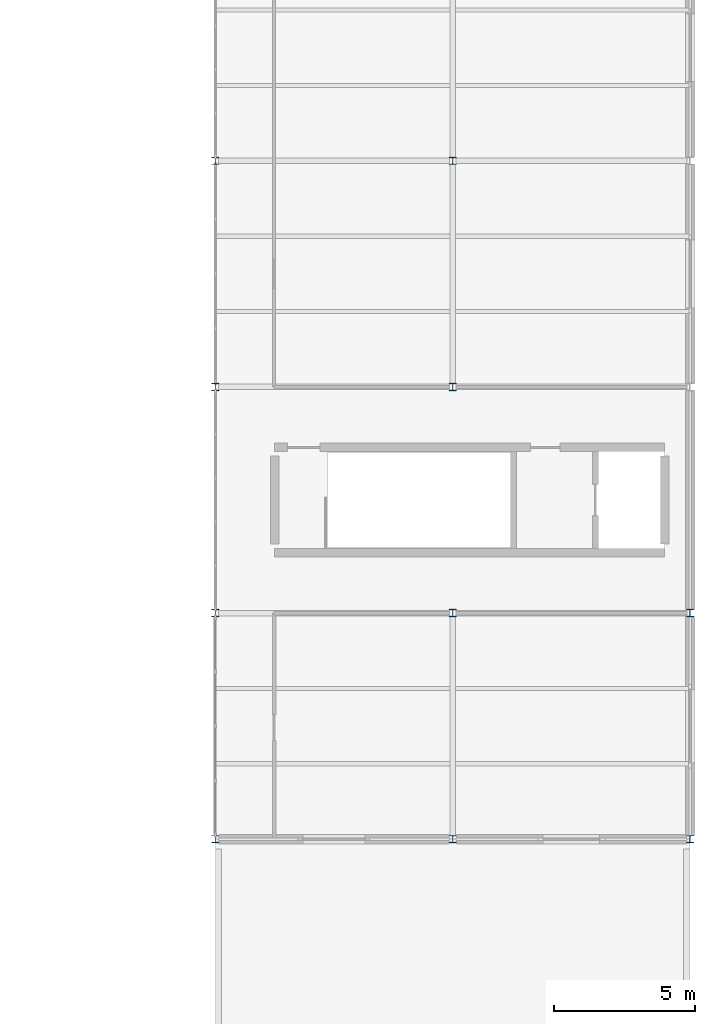
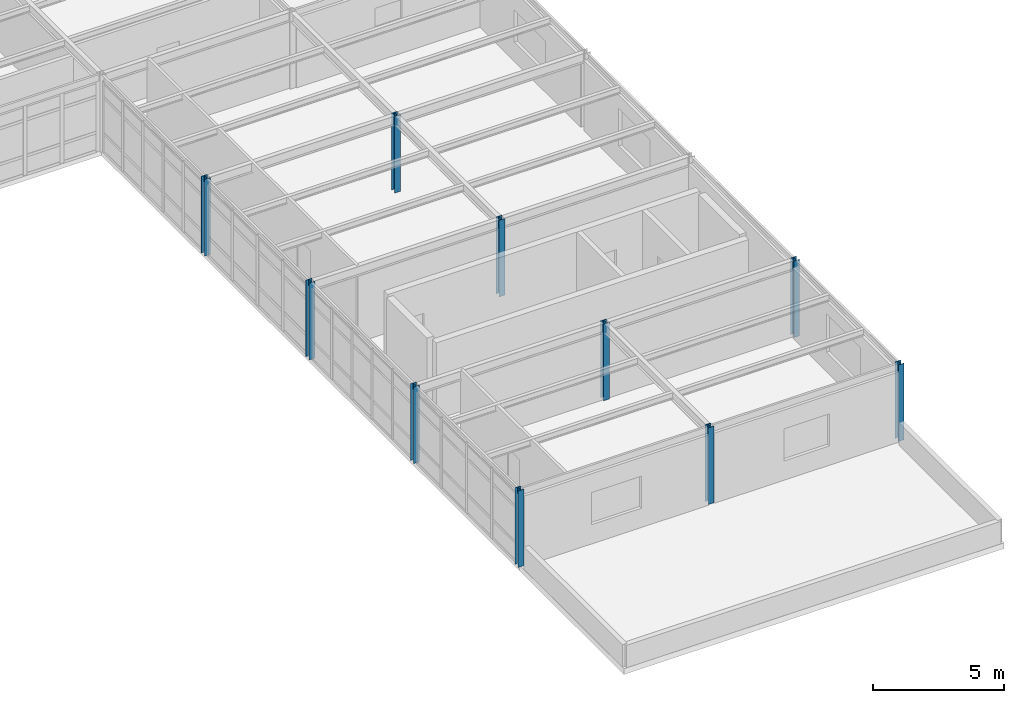
# One storey, part 7 of 53: 10 columns.
"""IFC4 building model written with IfcOpenShell, lengths in metres."""

from ifc_helpers import new_model, si_unit, direction, frame, origin, origin_2d, place, context, subcontext, project, spatial, i_section, extrude, material, material_profile, profile_set, type_object, element, save


model = new_model("IFC4")

# Units and contexts
model_context = context("Model", 3, precision=1e-05, world=origin(), true_north=direction((0.0, 1.0)))
body_context = subcontext(model_context, "Body", "Model", "MODEL_VIEW")
ifc_project = project(units=[si_unit("LENGTHUNIT", "METRE"), si_unit("AREAUNIT", "SQUARE_METRE"), si_unit("VOLUMEUNIT", "CUBIC_METRE"), si_unit("PLANEANGLEUNIT", "RADIAN"), si_unit("MASSUNIT", "GRAM", prefix="KILO")], contexts=[model_context])

# Site, building, storey
site_placement = place(None, origin())
site = spatial("IfcSite", under=ifc_project, at=site_placement, CompositionType="ELEMENT")
building_placement = place(site_placement, origin())
building = spatial("IfcBuilding", under=site, at=building_placement, Name="Kranzveld Transit Interchange", CompositionType="ELEMENT")
storey_placement = place(building_placement, frame((0.0, 0.0, 13.360107421875)))
storey = spatial("IfcBuildingStorey", under=building, at=storey_placement, Name="L03", CompositionType="ELEMENT", Elevation=13.360107421875)

# Columns
ifc_material = material(Name="Steel S355JR", Category="steel")
ifc_material_profile = material_profile(ifc_material, i_section(OverallWidth=0.25634765625, OverallDepth=0.26025390625, WebThickness=0.01025390625, FlangeThickness=0.017333984375, FilletRadius=0.0126953125, at=origin_2d()), Name="UC 254x254x89")
ifc_profile_set = profile_set([ifc_material_profile], Name="Steel S355JR")
column_type = type_object("IfcColumnType", Name="Column Steel UC 254x254x89 S355JR", PredefinedType="COLUMN", material=ifc_profile_set)
for number, where, z_axis, x_axis, name in (
    (1, (151.199951171875, 64.0, 0.0), (0.0, 0.0, 1.0), (1.0, 0.0, 0.0), "L03 Column 19/J"),
    (2, (151.199951171875, 72.0, 0.0), (0.0, 0.0, 1.0), (1.0, 0.0, 0.0), "L03 Column 19/K"),
    (3, (151.199951171875, 80.0, 0.0), (0.0, 0.0, 1.0), (1.0, 0.0, 0.0), "L03 Column 19/L"),
    (4, (151.199951171875, 88.0, 0.0), (0.0, 0.0, 1.0), (1.0, 0.0, 0.0), "L03 Column 19/M"),
    (5, (159.60009765625, 64.0, 0.0), (0.0, 0.0, 1.0), (1.0, 0.0, 0.0), "L03 Column 20/J"),
    (6, (159.60009765625, 72.0, 0.0), (0.0, 0.0, 1.0), (1.0, 0.0, 0.0), "L03 Column 20/K"),
    (7, (159.60009765625, 80.0, 0.0), (0.0, 0.0, 1.0), (1.0, 0.0, 0.0), "L03 Column 20/L"),
    (8, (159.60009765625, 88.0, 0.0), (0.0, 0.0, 1.0), (1.0, 0.0, 0.0), "L03 Column 20/M"),
    (9, (168.0, 64.0, 0.0), (0.0, 0.0, 1.0), (1.0, 0.0, 0.0), "L03 Column 21/J"),
    (10, (168.0, 72.0, 0.0), (0.0, 0.0, 1.0), (1.0, 0.0, 0.0), "L03 Column 21/K"),
):
    element("IfcColumn", number, at=place(storey_placement, frame(where, z_axis=z_axis, x_axis=x_axis)), inside=storey, type_object=column_type, Name=name, PredefinedType="COLUMN", context=body_context, shape_type="SweptSolid", body=[
        extrude(i_section(OverallWidth=0.25634765625, OverallDepth=0.26025390625, WebThickness=0.01025390625, FlangeThickness=0.017333984375, FilletRadius=0.0126953125, at=origin_2d()), origin(), (0.0, 0.0, 1.0), 3.579833984375),
    ])

save(model, "model.ifc")
